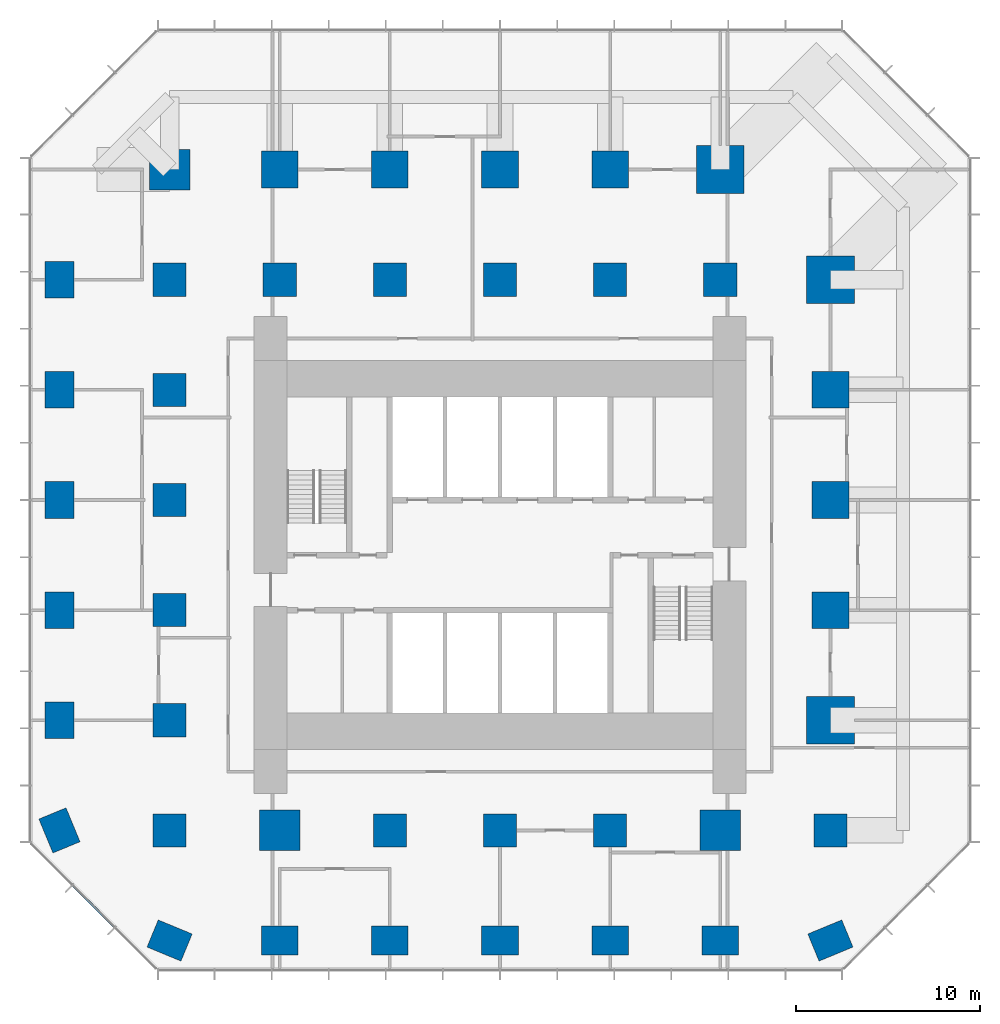
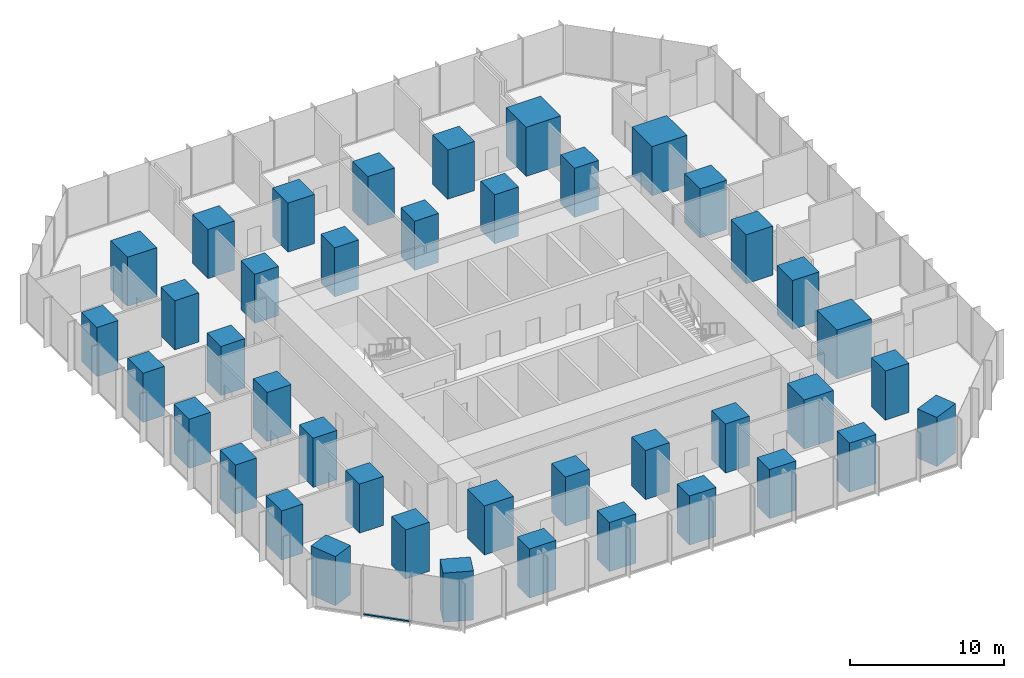
# One storey, part 1 of 12: 41 columns, 1 member, 1 element without a shape of its own.
"""IFC4 building model written with IfcOpenShell, lengths in metres."""

from ifc_helpers import new_model, si_unit, direction, frame, origin, origin_2d, place, context, subcontext, project, spatial, rectangle, extrude, material, layer, layer_set, material_profile, profile_set, type_object, element, aggregate, save


model = new_model("IFC4")

# Units and contexts
model_context = context("Model", 3, precision=1e-05, world=origin(), true_north=direction((0.0, 1.0)))
body_context = subcontext(model_context, "Body", "Model", "MODEL_VIEW")
ifc_project = project(units=[si_unit("LENGTHUNIT", "METRE"), si_unit("AREAUNIT", "SQUARE_METRE"), si_unit("VOLUMEUNIT", "CUBIC_METRE"), si_unit("PLANEANGLEUNIT", "RADIAN"), si_unit("MASSUNIT", "GRAM", prefix="KILO")], contexts=[model_context])

# Site, building, storey
site_placement = place(None, origin())
site = spatial("IfcSite", under=ifc_project, at=site_placement, CompositionType="ELEMENT")
building_placement = place(site_placement, origin())
building = spatial("IfcBuilding", under=site, at=building_placement, Name="Highveld Stack Headquarters", CompositionType="ELEMENT")
storey_placement = place(building_placement, frame((0.0, 0.0, 68.89990234375)))
storey = spatial("IfcBuildingStorey", under=building, at=storey_placement, Name="L16", CompositionType="ELEMENT", Elevation=68.89990234375)

# Columns
ifc_material_1 = material(Name="Concrete C60/75", Category="concrete")
ifc_material_profile_1 = material_profile(ifc_material_1, rectangle(XDim=1.800048828125, YDim=1.800048828125, at=origin_2d()), Name="RC 1800x1800")
ifc_profile_set_1 = profile_set([ifc_material_profile_1], Name="Concrete C60/75")
column_type_1 = type_object("IfcColumnType", Name="COLUMN RC 1800x1800 C60/75", PredefinedType="COLUMN", material=ifc_profile_set_1)
for number, where, z_axis, x_axis, name in (
    (1, (-12.0, -12.0, 0.0), (0.0, 0.0, 1.0), (1.0, 0.0, 0.0), "Column 4/C L16"),
    (2, (-12.0, -6.0, 0.0), (0.0, 0.0, 1.0), (1.0, 0.0, 0.0), "Column 4/D L16"),
    (3, (-12.0, 0.0, 0.0), (0.0, 0.0, 1.0), (1.0, 0.0, 0.0), "Column 4/E L16"),
    (4, (-12.0, 6.0, 0.0), (0.0, 0.0, 1.0), (1.0, 0.0, 0.0), "Column 4/F L16"),
    (5, (-12.0, 12.0, 0.0), (0.0, 0.0, 1.0), (1.0, 0.0, 0.0), "Column 4/G L16"),
    (6, (-12.0, 18.0, 0.0), (0.0, 0.0, 1.0), (1.0, 0.0, 0.0), "Column 4/H L16"),
    (7, (-6.0, 18.0, 0.0), (0.0, 0.0, 1.0), (1.0, 0.0, 0.0), "Column 5/H L16"),
    (8, (0.0, -12.0, 0.0), (0.0, 0.0, 1.0), (1.0, 0.0, 0.0), "Column 6/C L16"),
    (9, (0.0, 18.0, 0.0), (0.0, 0.0, 1.0), (1.0, 0.0, 0.0), "Column 6/H L16"),
    (10, (6.0, -12.0, 0.0), (0.0, 0.0, 1.0), (1.0, 0.0, 0.0), "Column 7/C L16"),
    (11, (6.0, 18.0, 0.0), (0.0, 0.0, 1.0), (1.0, 0.0, 0.0), "Column 7/H L16"),
    (12, (12.0, -12.0, 0.0), (0.0, 0.0, 1.0), (1.0, 0.0, 0.0), "Column 8/C L16"),
    (13, (12.0, 18.0, 0.0), (0.0, 0.0, 1.0), (1.0, 0.0, 0.0), "Column 8/H L16"),
    (14, (18.0, 18.0, 0.0), (0.0, 0.0, 1.0), (1.0, 0.0, 0.0), "Column 9/H L16"),
    (15, (24.0, -12.0, 0.0), (0.0, 0.0, 1.0), (1.0, 0.0, 0.0), "Column 10/C L16"),
):
    element("IfcColumn", number, at=place(storey_placement, frame(where, z_axis=z_axis, x_axis=x_axis)), inside=storey, type_object=column_type_1, Name=name, PredefinedType="COLUMN", context=body_context, shape_type="SweptSolid", body=[
        extrude(rectangle(XDim=1.800048828125, YDim=1.800048828125, at=origin_2d()), origin(), (0.0, 0.0, 1.0), 3.900146484375),
    ])
ifc_material_2 = material(Name="Concrete C60/75", Category="concrete")
ifc_material_profile_2 = material_profile(ifc_material_2, rectangle(XDim=2.0, YDim=1.60009765625, at=origin_2d()), Name="RC 2000x1600")
ifc_profile_set_2 = profile_set([ifc_material_profile_2], Name="Concrete C60/75")
column_type_2 = type_object("IfcColumnType", Name="COLUMN RC 2000x1600 C60/75", PredefinedType="COLUMN", material=ifc_profile_set_2)
for number, where, z_axis, x_axis, name in (
    (16, (-18.0, -12.0, 0.0), (0.0, 0.0, 1.0), (-0.382683432365, 0.923879532511, 0.0), "Column 3/C L16"),
    (17, (-18.0, -6.0, 0.0), (0.0, 0.0, 1.0), (0.0, 1.0, 0.0), "Column 3/D L16"),
    (18, (-18.0, 0.0, 0.0), (0.0, 0.0, 1.0), (0.0, 1.0, 0.0), "Column 3/E L16"),
    (19, (-18.0, 6.0, 0.0), (0.0, 0.0, 1.0), (0.0, 1.0, 0.0), "Column 3/F L16"),
    (20, (-18.0, 12.0, 0.0), (0.0, 0.0, 1.0), (0.0, 1.0, 0.0), "Column 3/G L16"),
    (21, (-18.0, 18.0, 0.0), (0.0, 0.0, 1.0), (0.0, 1.0, 0.0), "Column 3/H L16"),
    (22, (-12.0, -18.0, 0.0), (0.0, 0.0, 1.0), (-0.923879532511, 0.382683432365, 0.0), "Column 4/B L16"),
    (23, (-6.0, -18.0, 0.0), (0.0, 0.0, 1.0), (1.0, 0.0, 0.0), "Column 5/B L16"),
    (24, (0.0, -18.0, 0.0), (0.0, 0.0, 1.0), (1.0, 0.0, 0.0), "Column 6/B L16"),
    (25, (6.0, -18.0, 0.0), (0.0, 0.0, 1.0), (1.0, 0.0, 0.0), "Column 7/B L16"),
    (26, (12.0, -18.0, 0.0), (0.0, 0.0, 1.0), (1.0, 0.0, 0.0), "Column 8/B L16"),
    (27, (18.0, -18.0, 0.0), (0.0, 0.0, 1.0), (1.0, 0.0, 0.0), "Column 9/B L16"),
    (28, (24.0, -18.0, 0.0), (0.0, 0.0, 1.0), (-0.923879532511, -0.382683432365, 0.0), "Column 10/B L16"),
):
    element("IfcColumn", number, at=place(storey_placement, frame(where, z_axis=z_axis, x_axis=x_axis)), inside=storey, type_object=column_type_2, Name=name, PredefinedType="COLUMN", context=body_context, shape_type="SweptSolid", body=[
        extrude(rectangle(XDim=2.0, YDim=1.60009765625, at=origin_2d()), origin(), (0.0, 0.0, 1.0), 3.900146484375),
    ])
ifc_material_3 = material(Name="Concrete C60/75", Category="concrete")
ifc_material_profile_3 = material_profile(ifc_material_3, rectangle(XDim=2.0, YDim=2.0, at=origin_2d()), Name="RC 2000x2000")
ifc_profile_set_3 = profile_set([ifc_material_profile_3], Name="Concrete C60/75")
column_type_3 = type_object("IfcColumnType", Name="COLUMN RC 2000x2000 C60/75", PredefinedType="COLUMN", material=ifc_profile_set_3)
for number, where, z_axis, x_axis, name in (
    (29, (-6.0, 24.0, 0.0), (0.0, 0.0, 1.0), (1.0, 0.0, 0.0), "Column 5/J L16"),
    (30, (0.0, 24.0, 0.0), (0.0, 0.0, 1.0), (1.0, 0.0, 0.0), "Column 6/J L16"),
    (31, (6.0, 24.0, 0.0), (0.0, 0.0, 1.0), (1.0, 0.0, 0.0), "Column 7/J L16"),
    (32, (12.0, 24.0, 0.0), (0.0, 0.0, 1.0), (1.0, 0.0, 0.0), "Column 8/J L16"),
    (33, (24.0, 0.0, 0.0), (0.0, 0.0, 1.0), (1.0, 0.0, 0.0), "Column 10/E L16"),
    (34, (24.0, 6.0, 0.0), (0.0, 0.0, 1.0), (1.0, 0.0, 0.0), "Column 10/F L16"),
    (35, (24.0, 12.0, 0.0), (0.0, 0.0, 1.0), (1.0, 0.0, 0.0), "Column 10/G L16"),
):
    element("IfcColumn", number, at=place(storey_placement, frame(where, z_axis=z_axis, x_axis=x_axis)), inside=storey, type_object=column_type_3, Name=name, PredefinedType="COLUMN", context=body_context, shape_type="SweptSolid", body=[
        extrude(rectangle(XDim=2.0, YDim=2.0, at=origin_2d()), origin(), (0.0, 0.0, 1.0), 3.900146484375),
    ])
ifc_material_4 = material(Name="Concrete C60/75", Category="concrete")
ifc_material_profile_4 = material_profile(ifc_material_4, rectangle(XDim=2.199951171875, YDim=2.199951171875, at=origin_2d()), Name="RC 2200x2200")
ifc_profile_set_4 = profile_set([ifc_material_profile_4], Name="Concrete C60/75")
column_type_4 = type_object("IfcColumnType", Name="COLUMN RC 2200x2200 C60/75", PredefinedType="COLUMN", material=ifc_profile_set_4)
for number, where, z_axis, x_axis, name in (
    (36, (-12.0, 24.0, 0.0), (0.0, 0.0, 1.0), (1.0, 0.0, 0.0), "Column 4/J L16"),
    (37, (-6.0, -12.0, 0.0), (0.0, 0.0, 1.0), (1.0, 0.0, 0.0), "Column 5/C L16"),
    (38, (18.0, -12.0, 0.0), (0.0, 0.0, 1.0), (1.0, 0.0, 0.0), "Column 9/C L16"),
):
    element("IfcColumn", number, at=place(storey_placement, frame(where, z_axis=z_axis, x_axis=x_axis)), inside=storey, type_object=column_type_4, Name=name, PredefinedType="COLUMN", context=body_context, shape_type="SweptSolid", body=[
        extrude(rectangle(XDim=2.199951171875, YDim=2.199951171875, at=origin_2d()), origin(), (0.0, 0.0, 1.0), 3.900146484375),
    ])
ifc_material_5 = material(Name="Concrete C60/75", Category="concrete")
ifc_material_profile_5 = material_profile(ifc_material_5, rectangle(XDim=2.60009765625, YDim=2.60009765625, at=origin_2d()), Name="RC 2600x2600")
ifc_profile_set_5 = profile_set([ifc_material_profile_5], Name="Concrete C60/75")
column_type_5 = type_object("IfcColumnType", Name="COLUMN RC 2600x2600 C60/75", PredefinedType="COLUMN", material=ifc_profile_set_5)
for number, where, z_axis, x_axis, name in (
    (39, (18.0, 24.0, 0.0), (0.0, 0.0, 1.0), (1.0, 0.0, 0.0), "Column 9/J L16"),
    (40, (24.0, -6.0, 0.0), (0.0, 0.0, 1.0), (1.0, 0.0, 0.0), "Column 10/D L16"),
    (41, (24.0, 18.0, 0.0), (0.0, 0.0, 1.0), (1.0, 0.0, 0.0), "Column 10/H L16"),
):
    element("IfcColumn", number, at=place(storey_placement, frame(where, z_axis=z_axis, x_axis=x_axis)), inside=storey, type_object=column_type_5, Name=name, PredefinedType="COLUMN", context=body_context, shape_type="SweptSolid", body=[
        extrude(rectangle(XDim=2.60009765625, YDim=2.60009765625, at=origin_2d()), origin(), (0.0, 0.0, 1.0), 3.900146484375),
    ])

# Curtain wall, member
ifc_material_6 = material(Name="Aluminium bronze anodised", Category="aluminium")
ifc_layer = layer(ifc_material_6, 0.199951171875)
ifc_layer_set = layer_set([ifc_layer], Name="Aluminium bronze anodised")
curtain_wall_type = type_object("IfcCurtainWallType", Name="CW2 TOWER CHAMFER UNITISED CURTAIN WALL", PredefinedType="NOTDEFINED", material=ifc_layer_set)
curtain_wall_placement = place(storey_placement, origin())
curtain_wall = element("IfcCurtainWall", 42, at=curtain_wall_placement, inside=storey, type_object=curtain_wall_type, Name="Curtain wall CW2 L16 SW", PredefinedType="NOTDEFINED")
ifc_material_7 = material(Name="Aluminium bronze anodised", Category="aluminium")
ifc_material_profile_6 = material_profile(ifc_material_7, rectangle(XDim=0.14990234375, YDim=0.10009765625, at=origin_2d()), Name="CW2 TRANSOM 150x100")
ifc_profile_set_6 = profile_set([ifc_material_profile_6], Name="Aluminium bronze anodised")
member_type = type_object("IfcMemberType", Name="CW2 STACK TRANSOM 150x100", PredefinedType="USERDEFINED", material=ifc_profile_set_6)
member_placement = place(storey_placement, frame((-17.2646484375, -14.998046875, 0.050048828125), z_axis=(0.707106781187, -0.707106781187, 0.0), x_axis=(0.707106781187, 0.707106781187, 0.0)))
member = element("IfcMember", 43, at=member_placement, type_object=member_type, Name="CW2 transom L16 2.1", ObjectType="TRANSOM", PredefinedType="USERDEFINED", context=body_context, shape_type="SweptSolid", body=[
    extrude(rectangle(XDim=0.14990234375, YDim=0.10009765625, at=origin_2d()), origin(), (0.0, 0.0, 1.0), 3.20556640625),
])
aggregate(curtain_wall, [member])

save(model, "model.ifc")
